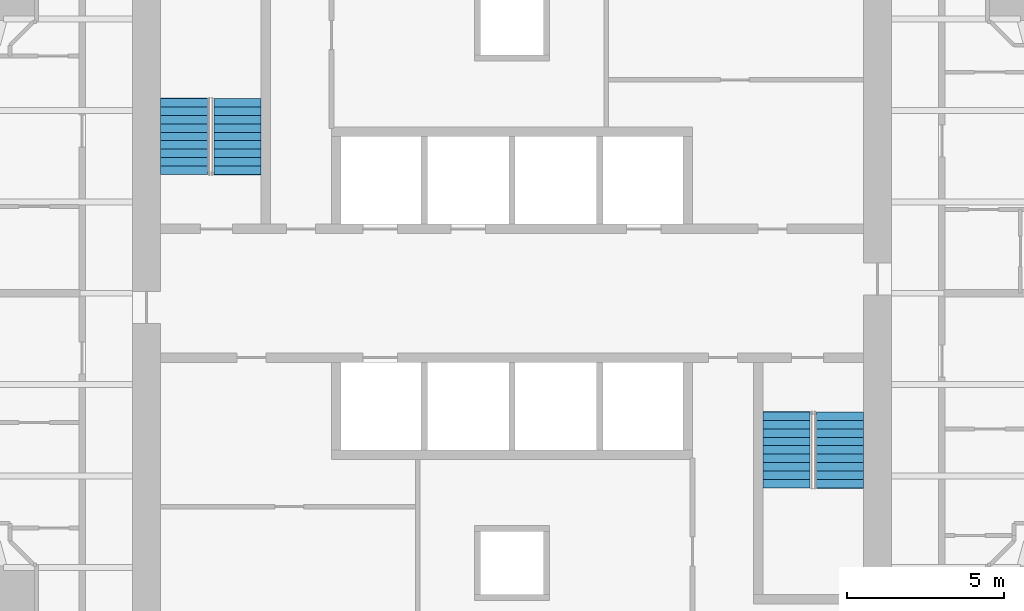
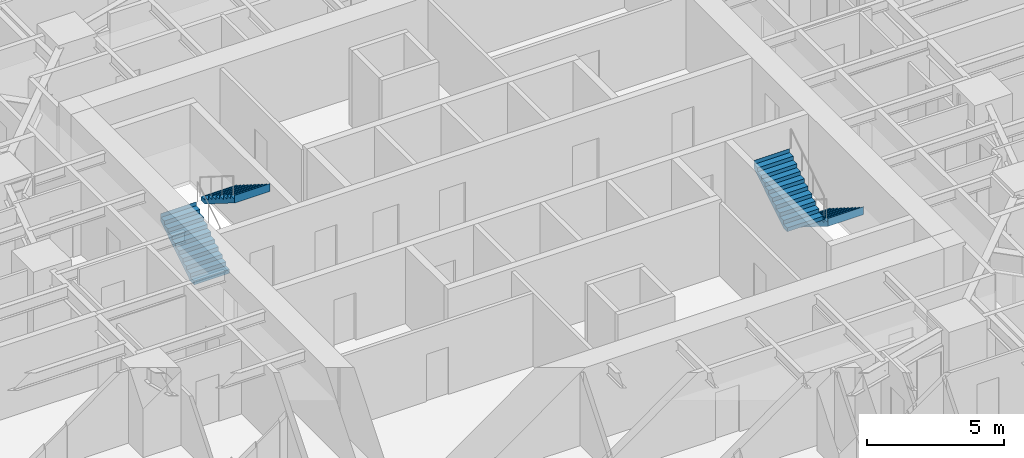
# One storey, part 17 of 18: 4 stair flights, 2 elements without a shape of their own.
"""IFC4 building model written with IfcOpenShell, lengths in metres."""

from ifc_helpers import new_model, si_unit, direction, frame, origin, place, context, subcontext, project, spatial, polyline, outline, extrude, material, type_object, element, aggregate, save


model = new_model("IFC4")

# Units and contexts
model_context = context("Model", 3, precision=1e-05, world=origin(), true_north=direction((0.0, 1.0)))
body_context = subcontext(model_context, "Body", "Model", "MODEL_VIEW")
ifc_project = project(units=[si_unit("LENGTHUNIT", "METRE"), si_unit("AREAUNIT", "SQUARE_METRE"), si_unit("VOLUMEUNIT", "CUBIC_METRE"), si_unit("PLANEANGLEUNIT", "RADIAN"), si_unit("MASSUNIT", "GRAM", prefix="KILO")], contexts=[model_context])

# Site, building, storey
site_placement = place(None, origin())
site = spatial("IfcSite", under=ifc_project, at=site_placement, CompositionType="ELEMENT")
building_placement = place(site_placement, origin())
building = spatial("IfcBuilding", under=site, at=building_placement, Name="Torsade Residences", CompositionType="ELEMENT")
storey_placement = place(building_placement, frame((0.0, 0.0, 28.60009765625)))
storey = spatial("IfcBuildingStorey", under=building, at=storey_placement, Name="L07", CompositionType="ELEMENT", Elevation=28.60009765625)

# Stair, stair flights
ifc_material_1 = material(Name="Precast concrete 40 MPa", Category="concrete")
stair_type = type_object("IfcStairType", Name="HALF-TURN FIRE STAIR 1500x3400", PredefinedType="HALF_TURN_STAIR", material=ifc_material_1)
stair_1_placement = place(storey_placement, origin())
stair_1 = element("IfcStair", 1, at=stair_1_placement, inside=storey, type_object=stair_type, Name="Stair ST1 L07", PredefinedType="HALF_TURN_STAIR")
ifc_material_2 = material(Name="Precast concrete 40 MPa", Category="concrete")
stair_flight_type = type_object("IfcStairFlightType", Name="PRECAST STAIR FLIGHT 1500x1700", PredefinedType="STRAIGHT", material=ifc_material_2)
stair_flight_1_placement = place(storey_placement, frame((29.550048828125, 33.780029296875, 0.0), z_axis=(0.0, 0.0, 1.0), x_axis=(0.0, 1.0, 0.0)))
stair_flight_1 = element("IfcStairFlight", 2, at=stair_flight_1_placement, type_object=stair_flight_type, Name="ST1 flight 1", NumberOfRisers=10, NumberOfTreads=9, PredefinedType="STRAIGHT", RiserHeight=0.17, TreadLength=0.27, context=body_context, shape_type="SweptSolid", body=[
    extrude(outline(polyline([(0.0, 0.0), (0.0, 0.169921875), (0.27001953125, 0.169921875), (0.27001953125, 0.340087890625), (0.5400390625, 0.340087890625), (0.5400390625, 0.510009765625), (0.81005859375, 0.510009765625), (0.81005859375, 0.679931640625), (1.080078125, 0.679931640625), (1.080078125, 0.85009765625), (1.35009765625, 0.85009765625), (1.35009765625, 1.02001953125), (1.6201171875, 1.02001953125), (1.6201171875, 1.18994140625), (1.889892578125, 1.18994140625), (1.889892578125, 1.360107421875), (2.159912109375, 1.360107421875), (2.159912109375, 1.530029296875), (2.429931640625, 1.530029296875), (2.429931640625, 1.699951171875), (2.43994140625, 1.699951171875), (2.43994140625, 1.352783203125), (2.429931640625, 1.352783203125), (0.28125, 0.0), (0.0, 0.0)])), frame((0.0, 0.75, 0.0), z_axis=(0.0, -1.0, 0.0), x_axis=(1.0, 0.0, 0.0)), (0.0, 0.0, 1.0), 1.5),
])
stair_flight_2_placement = place(storey_placement, frame((31.25, 36.2099609375, 1.699951171875), z_axis=(0.0, 0.0, 1.0), x_axis=(0.0, -1.0, 0.0)))
stair_flight_2 = element("IfcStairFlight", 3, at=stair_flight_2_placement, type_object=stair_flight_type, Name="ST1 flight 2", NumberOfRisers=10, NumberOfTreads=9, PredefinedType="STRAIGHT", RiserHeight=0.17, TreadLength=0.27, context=body_context, shape_type="SweptSolid", body=[
    extrude(outline(polyline([(0.0, 0.0), (0.0, 0.169921875), (0.27001953125, 0.169921875), (0.27001953125, 0.340087890625), (0.5400390625, 0.340087890625), (0.5400390625, 0.510009765625), (0.81005859375, 0.510009765625), (0.81005859375, 0.679931640625), (1.080078125, 0.679931640625), (1.080078125, 0.85009765625), (1.35009765625, 0.85009765625), (1.35009765625, 1.02001953125), (1.6201171875, 1.02001953125), (1.6201171875, 1.18994140625), (1.889892578125, 1.18994140625), (1.889892578125, 1.360107421875), (2.159912109375, 1.360107421875), (2.159912109375, 1.530029296875), (2.429931640625, 1.530029296875), (2.429931640625, 1.699951171875), (2.43994140625, 1.699951171875), (2.43994140625, 1.352783203125), (2.429931640625, 1.352783203125), (0.28125, 0.0), (0.0, 0.0)])), frame((0.0, 0.75, 0.0), z_axis=(0.0, -1.0, 0.0), x_axis=(1.0, 0.0, 0.0)), (0.0, 0.0, 1.0), 1.5),
])
aggregate(stair_1, [stair_flight_1, stair_flight_2])

stair_2_placement = place(storey_placement, origin())
stair_2 = element("IfcStair", 4, at=stair_2_placement, inside=storey, type_object=stair_type, Name="Stair ST2 L07", PredefinedType="HALF_TURN_STAIR")
stair_flight_3_placement = place(storey_placement, frame((50.449951171875, 26.219970703125, 0.0), z_axis=(0.0, 0.0, 1.0), x_axis=(0.0, -1.0, 0.0)))
stair_flight_3 = element("IfcStairFlight", 5, at=stair_flight_3_placement, type_object=stair_flight_type, Name="ST2 flight 1", NumberOfRisers=10, NumberOfTreads=9, PredefinedType="STRAIGHT", RiserHeight=0.17, TreadLength=0.27, context=body_context, shape_type="SweptSolid", body=[
    extrude(outline(polyline([(0.0, 0.0), (0.0, 0.169921875), (0.27001953125, 0.169921875), (0.27001953125, 0.340087890625), (0.5400390625, 0.340087890625), (0.5400390625, 0.510009765625), (0.81005859375, 0.510009765625), (0.81005859375, 0.679931640625), (1.080078125, 0.679931640625), (1.080078125, 0.85009765625), (1.35009765625, 0.85009765625), (1.35009765625, 1.02001953125), (1.6201171875, 1.02001953125), (1.6201171875, 1.18994140625), (1.889892578125, 1.18994140625), (1.889892578125, 1.360107421875), (2.159912109375, 1.360107421875), (2.159912109375, 1.530029296875), (2.429931640625, 1.530029296875), (2.429931640625, 1.699951171875), (2.43994140625, 1.699951171875), (2.43994140625, 1.352783203125), (2.429931640625, 1.352783203125), (0.28125, 0.0), (0.0, 0.0)])), frame((0.0, 0.75, 0.0), z_axis=(0.0, -1.0, 0.0), x_axis=(1.0, 0.0, 0.0)), (0.0, 0.0, 1.0), 1.5),
])
stair_flight_4_placement = place(storey_placement, frame((48.75, 23.7900390625, 1.699951171875), z_axis=(0.0, 0.0, 1.0), x_axis=(0.0, 1.0, 0.0)))
stair_flight_4 = element("IfcStairFlight", 6, at=stair_flight_4_placement, type_object=stair_flight_type, Name="ST2 flight 2", NumberOfRisers=10, NumberOfTreads=9, PredefinedType="STRAIGHT", RiserHeight=0.17, TreadLength=0.27, context=body_context, shape_type="SweptSolid", body=[
    extrude(outline(polyline([(0.0, 0.0), (0.0, 0.169921875), (0.27001953125, 0.169921875), (0.27001953125, 0.340087890625), (0.5400390625, 0.340087890625), (0.5400390625, 0.510009765625), (0.81005859375, 0.510009765625), (0.81005859375, 0.679931640625), (1.080078125, 0.679931640625), (1.080078125, 0.85009765625), (1.35009765625, 0.85009765625), (1.35009765625, 1.02001953125), (1.6201171875, 1.02001953125), (1.6201171875, 1.18994140625), (1.889892578125, 1.18994140625), (1.889892578125, 1.360107421875), (2.159912109375, 1.360107421875), (2.159912109375, 1.530029296875), (2.429931640625, 1.530029296875), (2.429931640625, 1.699951171875), (2.43994140625, 1.699951171875), (2.43994140625, 1.352783203125), (2.429931640625, 1.352783203125), (0.28125, 0.0), (0.0, 0.0)])), frame((0.0, 0.75, 0.0), z_axis=(0.0, -1.0, 0.0), x_axis=(1.0, 0.0, 0.0)), (0.0, 0.0, 1.0), 1.5),
])
aggregate(stair_2, [stair_flight_3, stair_flight_4])

save(model, "model.ifc")
